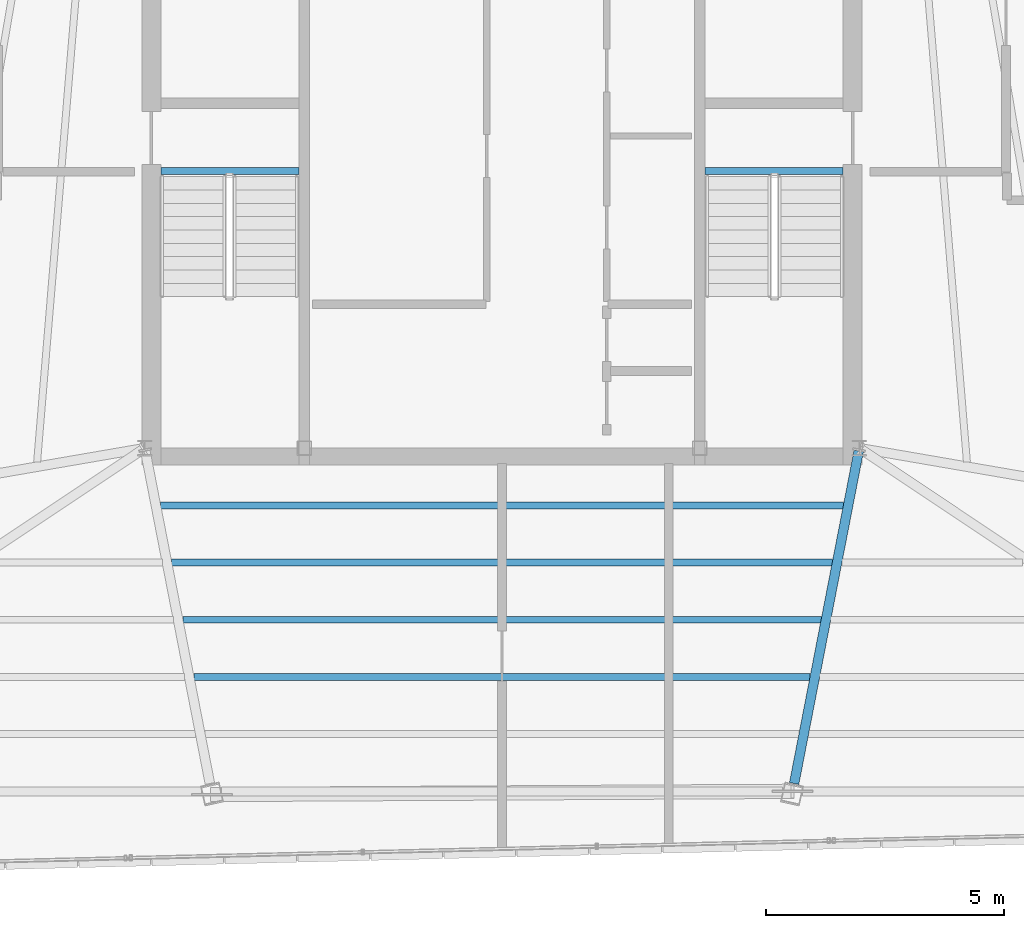
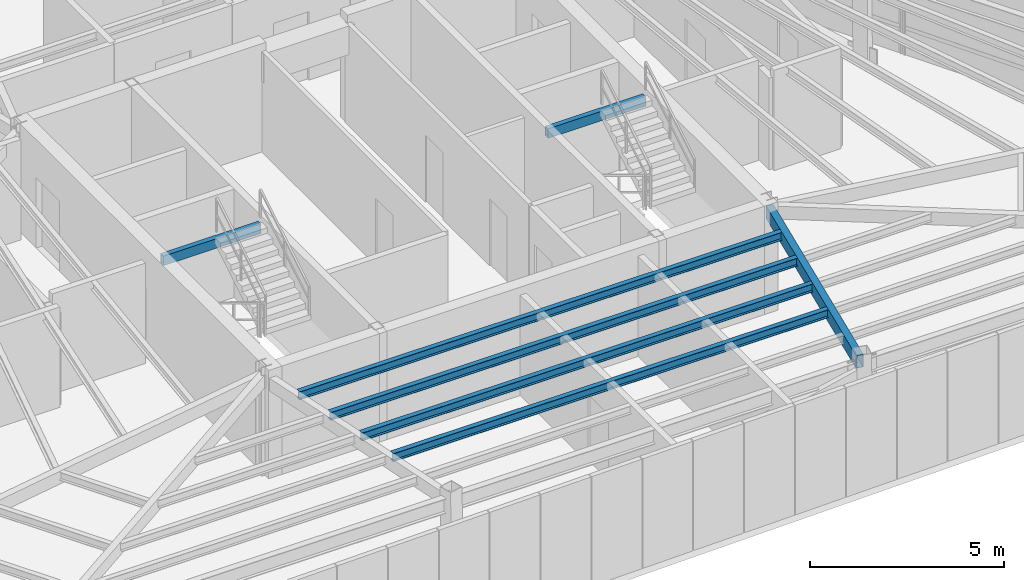
# One storey, part 16 of 44: 7 beams.
"""IFC4 building model written with IfcOpenShell, lengths in metres."""

from ifc_helpers import new_model, si_unit, direction, frame, origin, origin_2d, place, context, subcontext, project, spatial, hollow_rectangle, i_section, extrude, source, transform, mapped, material, material_profile, profile_set, type_object, type_shapes, element, save


model = new_model("IFC4")

# Units and contexts
model_context = context("Model", 3, precision=1e-05, world=origin(), true_north=direction((0.0, 1.0)))
body_context = subcontext(model_context, "Body", "Model", "MODEL_VIEW")
ifc_project = project(units=[si_unit("LENGTHUNIT", "METRE"), si_unit("AREAUNIT", "SQUARE_METRE"), si_unit("VOLUMEUNIT", "CUBIC_METRE"), si_unit("PLANEANGLEUNIT", "RADIAN"), si_unit("MASSUNIT", "GRAM", prefix="KILO")], contexts=[model_context])

# Site, building, storey
site_placement = place(None, origin())
site = spatial("IfcSite", under=ifc_project, at=site_placement, CompositionType="ELEMENT")
building_placement = place(site_placement, origin())
building = spatial("IfcBuilding", under=site, at=building_placement, Name="Caelisora Broadcast Tower", CompositionType="ELEMENT")
storey_placement = place(building_placement, frame((0.0, 0.0, 296.60009765625)))
storey = spatial("IfcBuildingStorey", under=building, at=storey_placement, Name="L78", CompositionType="ELEMENT", Elevation=296.60009765625)

# Beams
ifc_material_1 = material(Name="Steel Grade 350 (AS/NZS 1163 C350L0)", Category="steel")
ifc_material_profile_1 = material_profile(ifc_material_1, hollow_rectangle(XDim=0.14990234375, YDim=0.300048828125, WallThickness=0.010009765625, at=origin_2d()), Name="Steel Grade 350 (AS/NZS 1163 C350L0)")
ifc_profile_set_1 = profile_set([ifc_material_profile_1], Name="Steel Grade 350 (AS/NZS 1163 C350L0)")
beam_type_1 = type_object("IfcBeamType", Name="SB05", PredefinedType="JOIST", material=ifc_profile_set_1)
shared_shape_1 = source(origin(), body_context, "Body", "SweptSolid", [
    extrude(hollow_rectangle(XDim=0.14990234375, YDim=0.300048828125, WallThickness=0.010009765625, at=origin_2d()), origin(), (0.0, 0.0, 1.0), 2.89990234375),
])
type_shapes(beam_type_1, [shared_shape_1])
for number, where, z_axis, x_axis, name in (
    (1, (30.840087890625, 23.219970703125, 3.0), (1.0, 0.0, 0.0), (0.0, 1.0, 0.0), "L78 beam SB05"),
    (2, (42.260009765625, 23.219970703125, 3.0), (1.0, 0.0, 0.0), (0.0, 1.0, 0.0), "L78 beam SB05"),
):
    element("IfcBeam", number, at=place(storey_placement, frame(where, z_axis=z_axis, x_axis=x_axis)), inside=storey, type_object=beam_type_1, Name=name, PredefinedType="JOIST", context=body_context, shape_type="MappedRepresentation", body=[
        mapped(shared_shape_1, transform((0.0, 0.0, 0.0), scale=1.0)),
    ])
ifc_material_profile_2 = material_profile(ifc_material_1, hollow_rectangle(XDim=0.199951171875, YDim=0.39990234375, WallThickness=0.012451171875, at=origin_2d()), Name="Steel Grade 350 (AS/NZS 1163 C350L0)")
ifc_profile_set_2 = profile_set([ifc_material_profile_2], Name="Steel Grade 350 (AS/NZS 1163 C350L0)")
beam_type_2 = type_object("IfcBeamType", Name="PG07", PredefinedType="BEAM", material=ifc_profile_set_2)
shared_shape_2 = source(origin(), body_context, "Body", "SweptSolid", [
    extrude(hollow_rectangle(XDim=0.199951171875, YDim=0.39990234375, WallThickness=0.012451171875, at=origin_2d()), origin(), (0.0, 0.0, 1.0), 7.111328125),
])
type_shapes(beam_type_2, [shared_shape_2])
beam_1_placement = place(storey_placement, frame((45.488525390625, 17.341064453125, 2.949951171875), z_axis=(-0.190712522184, -0.981645931017, 0.0), x_axis=(0.981645931017, -0.190712522184, 0.0)))
element("IfcBeam", 3, at=beam_1_placement, inside=storey, type_object=beam_type_2, Name="L78 beam PG07", PredefinedType="BEAM", context=body_context, shape_type="MappedRepresentation", body=[
    mapped(shared_shape_2, transform((0.0, 0.0, 0.0), scale=1.0)),
])
ifc_material_2 = material(Name="Steel Grade 350 (AS/NZS 3679.1)", Category="steel")
ifc_material_profile_3 = material_profile(ifc_material_2, i_section(OverallWidth=0.14599609375, OverallDepth=0.256103515625, WebThickness=0.00634765625, FlangeThickness=0.010986328125, at=origin_2d()), Name="Steel Grade 350 (AS/NZS 3679.1)")
ifc_profile_set_3 = profile_set([ifc_material_profile_3], Name="Steel Grade 350 (AS/NZS 3679.1)")
beam_type_3 = type_object("IfcBeamType", Name="SB04", PredefinedType="JOIST", material=ifc_profile_set_3)
shared_shape_3 = source(origin(), body_context, "Body", "SweptSolid", [
    extrude(i_section(OverallWidth=0.14599609375, OverallDepth=0.256103515625, WebThickness=0.00634765625, FlangeThickness=0.010986328125, at=origin_2d()), origin(), (0.0, 0.0, 1.0), 14.33544921875),
])
beam_2_placement = place(storey_placement, frame((30.832275390625, 16.19921875, 3.021728515625), z_axis=(1.0, 0.0, 0.0), x_axis=(0.0, 1.0, 0.0)))
element("IfcBeam", 4, at=beam_2_placement, inside=storey, type_object=beam_type_3, Name="L78 beam SB04", PredefinedType="JOIST", context=body_context, shape_type="MappedRepresentation", body=[
    mapped(shared_shape_3, transform((0.0, 0.0, 0.0), scale=1.0)),
])
shared_shape_4 = source(origin(), body_context, "Body", "SweptSolid", [
    extrude(i_section(OverallWidth=0.14599609375, OverallDepth=0.256103515625, WebThickness=0.00634765625, FlangeThickness=0.010986328125, at=origin_2d()), origin(), (0.0, 0.0, 1.0), 13.869140625),
])
beam_3_placement = place(storey_placement, frame((31.0654296875, 14.99853515625, 3.021728515625), z_axis=(1.0, 0.0, 0.0), x_axis=(0.0, 1.0, 0.0)))
element("IfcBeam", 5, at=beam_3_placement, inside=storey, type_object=beam_type_3, Name="L78 beam SB04", PredefinedType="JOIST", context=body_context, shape_type="MappedRepresentation", body=[
    mapped(shared_shape_4, transform((0.0, 0.0, 0.0), scale=1.0)),
])
shared_shape_5 = source(origin(), body_context, "Body", "SweptSolid", [
    extrude(i_section(OverallWidth=0.14599609375, OverallDepth=0.256103515625, WebThickness=0.00634765625, FlangeThickness=0.010986328125, at=origin_2d()), origin(), (0.0, 0.0, 1.0), 13.40283203125),
])
beam_4_placement = place(storey_placement, frame((31.298583984375, 13.797607421875, 3.021728515625), z_axis=(1.0, 0.0, 0.0), x_axis=(0.0, 1.0, 0.0)))
element("IfcBeam", 6, at=beam_4_placement, inside=storey, type_object=beam_type_3, Name="L78 beam SB04", PredefinedType="JOIST", context=body_context, shape_type="MappedRepresentation", body=[
    mapped(shared_shape_5, transform((0.0, 0.0, 0.0), scale=1.0)),
])
shared_shape_6 = source(origin(), body_context, "Body", "SweptSolid", [
    extrude(i_section(OverallWidth=0.14599609375, OverallDepth=0.256103515625, WebThickness=0.00634765625, FlangeThickness=0.010986328125, at=origin_2d()), origin(), (0.0, 0.0, 1.0), 12.93603515625),
])
type_shapes(beam_type_3, [shared_shape_3, shared_shape_4, shared_shape_5, shared_shape_6])
beam_5_placement = place(storey_placement, frame((31.531982421875, 12.596923828125, 3.021728515625), z_axis=(1.0, 0.0, 0.0), x_axis=(0.0, 1.0, 0.0)))
element("IfcBeam", 7, at=beam_5_placement, inside=storey, type_object=beam_type_3, Name="L78 beam SB04", PredefinedType="JOIST", context=body_context, shape_type="MappedRepresentation", body=[
    mapped(shared_shape_6, transform((0.0, 0.0, 0.0), scale=1.0)),
])

save(model, "model.ifc")
